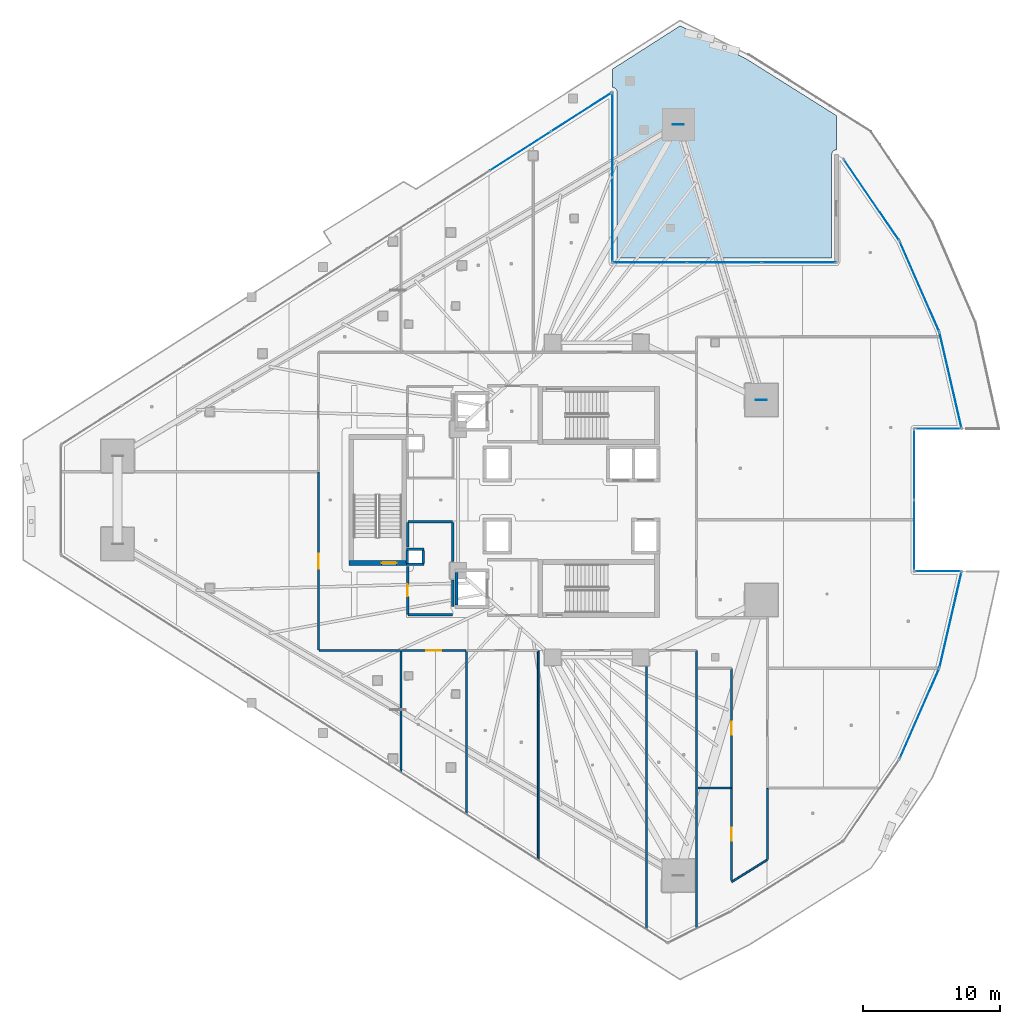
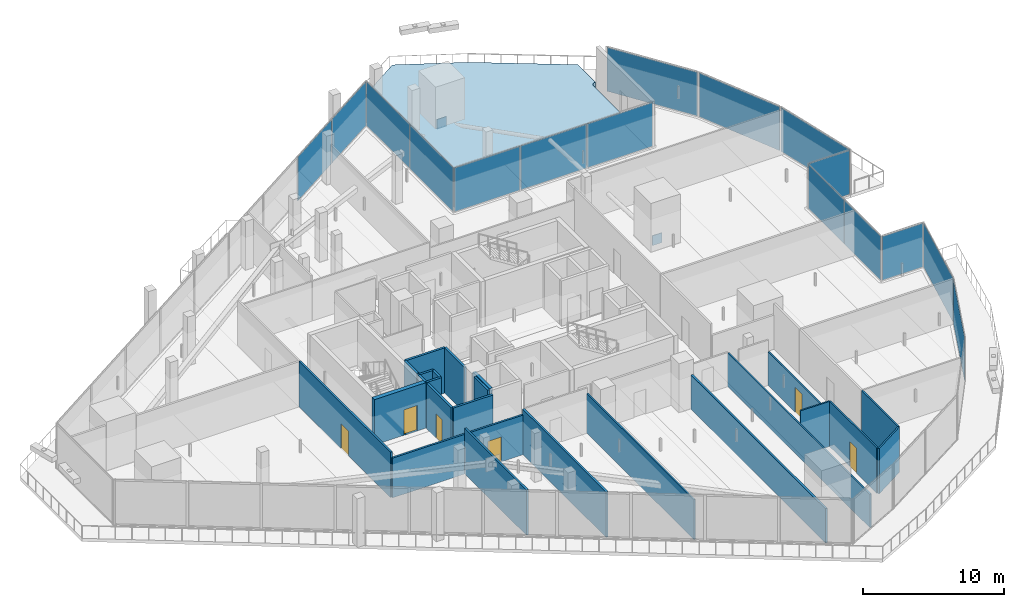
# One storey, part 31 of 47: 25 walls, 18 plates, 6 doors, 1 slab, 6 openings, 11 elements without a shape of their own.
"""IFC4 building model written with IfcOpenShell, lengths in metres."""

from ifc_helpers import new_model, si_unit, direction, frame, frame_2d, origin, origin_2d, place, context, subcontext, project, spatial, polyline, rectangle, outline, extrude, material, layer, layer_set, type_object, element, fill, aggregate, save


model = new_model("IFC4")

# Units and contexts
model_context = context("Model", 3, precision=1e-05, world=origin(), true_north=direction((0.0, 1.0)))
body_context = subcontext(model_context, "Body", "Model", "MODEL_VIEW")
ifc_project = project(units=[si_unit("LENGTHUNIT", "METRE"), si_unit("AREAUNIT", "SQUARE_METRE"), si_unit("VOLUMEUNIT", "CUBIC_METRE"), si_unit("PLANEANGLEUNIT", "RADIAN"), si_unit("MASSUNIT", "GRAM", prefix="KILO")], contexts=[model_context])

# Site, building, storey
site_placement = place(None, origin())
site = spatial("IfcSite", under=ifc_project, at=site_placement, CompositionType="ELEMENT")
building_placement = place(site_placement, origin())
building = spatial("IfcBuilding", under=site, at=building_placement, Name="Qorvath Tower", CompositionType="ELEMENT")
storey_placement = place(building_placement, frame((0.0, 0.0, 74.39990234375)))
storey = spatial("IfcBuildingStorey", under=building, at=storey_placement, Name="L16", CompositionType="ELEMENT", Elevation=74.39990234375)

# Curtain wall, plates
ifc_material_1 = material(Name="Anodised aluminium and triple low-E glass", Category="aluminium")
ifc_layer_1 = layer(ifc_material_1, 0.179931640625)
ifc_layer_set_1 = layer_set([ifc_layer_1], Name="CW-SYS-5")
curtain_wall_type = type_object("IfcCurtainWallType", Name="CW-SYS-5", PredefinedType="NOTDEFINED", material=ifc_layer_set_1)
curtain_wall_1_placement = place(storey_placement, origin())
curtain_wall_1 = element("IfcCurtainWall", 1, at=curtain_wall_1_placement, inside=storey, type_object=curtain_wall_type, Name="Curtain Wall CW-5 CW-T-L16-2.1", PredefinedType="NOTDEFINED")
ifc_material_2 = material(Name="Low-E triple insulated glass", Category="glass")
ifc_layer_2 = layer(ifc_material_2, 0.031982421875)
ifc_layer_set_2 = layer_set([ifc_layer_2], Name="CWP-GLZ-32")
plate_type_1 = type_object("IfcPlateType", Name="CWP-GLZ-32", PredefinedType="CURTAIN_PANEL", material=ifc_layer_set_2)
plate_1_placement = place(storey_placement, frame((-5.69873046875, 17.280029296875, 0.06494140625), z_axis=(0.0, 0.0, 1.0), x_axis=(-1.0, 0.0, 0.0)))
plate_1 = element("IfcPlate", 2, at=plate_1_placement, type_object=plate_type_1, Name="CW-5 panel 1.1", PredefinedType="CURTAIN_PANEL", context=body_context, shape_type="SweptSolid", body=[
    extrude(rectangle(XDim=5.327392578125, YDim=0.031982421875, at=origin_2d()), origin(), (0.0, 0.0, 1.0), 3.790283203125),
])
plate_2_placement = place(storey_placement, frame((-11.1201171875, 17.280029296875, 0.06494140625), z_axis=(0.0, 0.0, 1.0), x_axis=(-1.0, 0.0, 0.0)))
plate_2 = element("IfcPlate", 3, at=plate_2_placement, type_object=plate_type_1, Name="CW-5 panel 2.1", PredefinedType="CURTAIN_PANEL", context=body_context, shape_type="SweptSolid", body=[
    extrude(rectangle(XDim=5.364990234375, YDim=0.031982421875, at=origin_2d()), origin(), (0.0, 0.0, 1.0), 3.790283203125),
])
plate_3_placement = place(storey_placement, frame((-16.541259765625, 17.280029296875, 0.06494140625), z_axis=(0.0, 0.0, 1.0), x_axis=(-1.0, 0.0, 0.0)))
plate_3 = element("IfcPlate", 4, at=plate_3_placement, type_object=plate_type_1, Name="CW-5 panel 3.1", PredefinedType="CURTAIN_PANEL", context=body_context, shape_type="SweptSolid", body=[
    extrude(rectangle(XDim=5.327392578125, YDim=0.031982421875, at=origin_2d()), origin(), (0.0, 0.0, 1.0), 3.790283203125),
])
aggregate(curtain_wall_1, [plate_1, plate_2, plate_3])

curtain_wall_2_placement = place(storey_placement, origin())
curtain_wall_2 = element("IfcCurtainWall", 5, at=curtain_wall_2_placement, inside=storey, type_object=curtain_wall_type, Name="Curtain Wall CW-5 CW-T-L16-3.1", PredefinedType="NOTDEFINED")
plate_4_placement = place(storey_placement, frame((-19.280029296875, 20.396240234375, 0.06494140625), z_axis=(0.0, 0.0, 1.0), x_axis=(0.0, 1.0, 0.0)))
plate_4 = element("IfcPlate", 6, at=plate_4_placement, type_object=plate_type_1, Name="CW-5 panel 1.1", PredefinedType="CURTAIN_PANEL", context=body_context, shape_type="SweptSolid", body=[
    extrude(rectangle(XDim=6.082275390625, YDim=0.031982421875, at=origin_2d()), origin(), (0.0, 0.0, 1.0), 3.790283203125),
])
plate_5_placement = place(storey_placement, frame((-19.280029296875, 26.553466796875, 0.06494140625), z_axis=(0.0, 0.0, 1.0), x_axis=(0.0, 1.0, 0.0)))
plate_5 = element("IfcPlate", 7, at=plate_5_placement, type_object=plate_type_1, Name="CW-5 panel 2.1", PredefinedType="CURTAIN_PANEL", context=body_context, shape_type="SweptSolid", body=[
    extrude(rectangle(XDim=6.082275390625, YDim=0.031982421875, at=origin_2d()), origin(), (0.0, 0.0, 1.0), 3.790283203125),
])
aggregate(curtain_wall_2, [plate_4, plate_5])

curtain_wall_3_placement = place(storey_placement, origin())
curtain_wall_3 = element("IfcCurtainWall", 8, at=curtain_wall_3_placement, inside=storey, type_object=curtain_wall_type, Name="Curtain Wall CW-5 CW-T-L16-4.1", PredefinedType="NOTDEFINED")
plate_6_placement = place(storey_placement, frame((-21.5244140625, 28.235107421875, 0.06494140625), z_axis=(0.0, 0.0, 1.0), x_axis=(-0.842604180763, -0.538533373675, 0.0)))
plate_6 = element("IfcPlate", 9, at=plate_6_placement, type_object=plate_type_1, Name="CW-5 panel 1.1", PredefinedType="CURTAIN_PANEL", context=body_context, shape_type="SweptSolid", body=[
    extrude(rectangle(XDim=5.177490234375, YDim=0.031982421875, at=origin_2d()), origin(), (0.0, 0.0, 1.0), 3.790283203125),
])
plate_7_placement = place(storey_placement, frame((-25.966064453125, 25.396484375, 0.06494140625), z_axis=(0.0, 0.0, 1.0), x_axis=(-0.842604180763, -0.538533373675, 0.0)))
plate_7 = element("IfcPlate", 10, at=plate_7_placement, type_object=plate_type_1, Name="CW-5 panel 2.1", PredefinedType="CURTAIN_PANEL", context=body_context, shape_type="SweptSolid", body=[
    extrude(rectangle(XDim=5.21484375, YDim=0.031982421875, at=origin_2d()), origin(), (0.0, 0.0, 1.0), 3.790283203125),
])
aggregate(curtain_wall_3, [plate_6, plate_7])

# Curtain wall, plate
curtain_wall_4_placement = place(storey_placement, origin())
curtain_wall_4 = element("IfcCurtainWall", 11, at=curtain_wall_4_placement, inside=storey, type_object=curtain_wall_type, Name="Curtain Wall CW-5 CW-T-L16-10.1", PredefinedType="NOTDEFINED")
plate_8_placement = place(storey_placement, frame((3.07421875, -15.54296875, 0.06494140625), z_axis=(0.0, 0.0, 1.0), x_axis=(0.401375837231, 0.915913444211, 0.0)))
plate_8 = element("IfcPlate", 12, at=plate_8_placement, type_object=plate_type_1, Name="CW-5 panel 1.1", PredefinedType="CURTAIN_PANEL", context=body_context, shape_type="SweptSolid", body=[
    extrude(rectangle(XDim=7.08203125, YDim=0.031982421875, at=origin_2d()), origin(), (0.0, 0.0, 1.0), 3.790283203125),
])
aggregate(curtain_wall_4, [plate_8])

curtain_wall_5_placement = place(storey_placement, origin())
curtain_wall_5 = element("IfcCurtainWall", 13, at=curtain_wall_5_placement, inside=storey, type_object=curtain_wall_type, Name="Curtain Wall CW-5 CW-T-L16-11.1", PredefinedType="NOTDEFINED")
plate_9_placement = place(storey_placement, frame((5.3388671875, -8.70751953125, 0.06494140625), z_axis=(0.0, 0.0, 1.0), x_axis=(0.224871624887, 0.97438839911, 0.0)))
plate_9 = element("IfcPlate", 14, at=plate_9_placement, type_object=plate_type_1, Name="CW-5 panel 1.1", PredefinedType="CURTAIN_PANEL", context=body_context, shape_type="SweptSolid", body=[
    extrude(rectangle(XDim=7.08203125, YDim=0.031982421875, at=origin_2d()), origin(), (0.0, 0.0, 1.0), 3.790283203125),
])
aggregate(curtain_wall_5, [plate_9])

curtain_wall_6_placement = place(storey_placement, origin())
curtain_wall_6 = element("IfcCurtainWall", 15, at=curtain_wall_6_placement, inside=storey, type_object=curtain_wall_type, Name="Curtain Wall CW-5 CW-T-L16-12.1", PredefinedType="NOTDEFINED")
plate_10_placement = place(storey_placement, frame((4.423828125, -5.18408203125, 0.06494140625), z_axis=(0.0, 0.0, 1.0), x_axis=(-1.0, 0.0, 0.0)))
plate_10 = element("IfcPlate", 16, at=plate_10_placement, type_object=plate_type_1, Name="CW-5 panel 1.1", PredefinedType="CURTAIN_PANEL", context=body_context, shape_type="SweptSolid", body=[
    extrude(rectangle(XDim=3.30615234375, YDim=0.031982421875, at=origin_2d()), origin(), (0.0, 0.0, 1.0), 3.790283203125),
])
aggregate(curtain_wall_6, [plate_10])

# Curtain wall, plates
curtain_wall_7_placement = place(storey_placement, origin())
curtain_wall_7 = element("IfcCurtainWall", 17, at=curtain_wall_7_placement, inside=storey, type_object=curtain_wall_type, Name="Curtain Wall CW-5 CW-T-L16-13.1", PredefinedType="NOTDEFINED")
plate_11_placement = place(storey_placement, frame((2.69580078125, -2.5732421875, 0.06494140625), z_axis=(0.0, 0.0, 1.0), x_axis=(0.0, 1.0, 0.0)))
plate_11 = element("IfcPlate", 18, at=plate_11_placement, type_object=plate_type_1, Name="CW-5 panel 1.1", PredefinedType="CURTAIN_PANEL", context=body_context, shape_type="SweptSolid", body=[
    extrude(rectangle(XDim=5.071533203125, YDim=0.031982421875, at=origin_2d()), origin(), (0.0, 0.0, 1.0), 3.790283203125),
])
plate_12_placement = place(storey_placement, frame((2.69580078125, 2.5732421875, 0.06494140625), z_axis=(0.0, 0.0, 1.0), x_axis=(0.0, 1.0, 0.0)))
plate_12 = element("IfcPlate", 19, at=plate_12_placement, type_object=plate_type_1, Name="CW-5 panel 2.1", PredefinedType="CURTAIN_PANEL", context=body_context, shape_type="SweptSolid", body=[
    extrude(rectangle(XDim=5.071533203125, YDim=0.031982421875, at=origin_2d()), origin(), (0.0, 0.0, 1.0), 3.790283203125),
])
aggregate(curtain_wall_7, [plate_11, plate_12])

# Curtain wall, plate
curtain_wall_8_placement = place(storey_placement, origin())
curtain_wall_8 = element("IfcCurtainWall", 20, at=curtain_wall_8_placement, inside=storey, type_object=curtain_wall_type, Name="Curtain Wall CW-5 CW-T-L16-14.1", PredefinedType="NOTDEFINED")
plate_13_placement = place(storey_placement, frame((4.423828125, 5.18408203125, 0.06494140625), z_axis=(0.0, 0.0, 1.0), x_axis=(1.0, 0.0, 0.0)))
plate_13 = element("IfcPlate", 21, at=plate_13_placement, type_object=plate_type_1, Name="CW-5 panel 1.1", PredefinedType="CURTAIN_PANEL", context=body_context, shape_type="SweptSolid", body=[
    extrude(rectangle(XDim=3.30615234375, YDim=0.031982421875, at=origin_2d()), origin(), (0.0, 0.0, 1.0), 3.790283203125),
])
aggregate(curtain_wall_8, [plate_13])

curtain_wall_9_placement = place(storey_placement, origin())
curtain_wall_9 = element("IfcCurtainWall", 22, at=curtain_wall_9_placement, inside=storey, type_object=curtain_wall_type, Name="Curtain Wall CW-5 CW-T-L16-15.1", PredefinedType="NOTDEFINED")
plate_14_placement = place(storey_placement, frame((5.3388671875, 8.70751953125, 0.06494140625), z_axis=(0.0, 0.0, 1.0), x_axis=(-0.224871624887, 0.97438839911, 0.0)))
plate_14 = element("IfcPlate", 23, at=plate_14_placement, type_object=plate_type_1, Name="CW-5 panel 1.1", PredefinedType="CURTAIN_PANEL", context=body_context, shape_type="SweptSolid", body=[
    extrude(rectangle(XDim=7.08203125, YDim=0.031982421875, at=origin_2d()), origin(), (0.0, 0.0, 1.0), 3.790283203125),
])
aggregate(curtain_wall_9, [plate_14])

curtain_wall_10_placement = place(storey_placement, origin())
curtain_wall_10 = element("IfcCurtainWall", 24, at=curtain_wall_10_placement, inside=storey, type_object=curtain_wall_type, Name="Curtain Wall CW-5 CW-T-L16-16.1", PredefinedType="NOTDEFINED")
plate_15_placement = place(storey_placement, frame((3.07421875, 15.54296875, 0.06494140625), z_axis=(0.0, 0.0, 1.0), x_axis=(-0.401375837231, 0.915913444211, 0.0)))
plate_15 = element("IfcPlate", 25, at=plate_15_placement, type_object=plate_type_1, Name="CW-5 panel 1.1", PredefinedType="CURTAIN_PANEL", context=body_context, shape_type="SweptSolid", body=[
    extrude(rectangle(XDim=7.08203125, YDim=0.031982421875, at=origin_2d()), origin(), (0.0, 0.0, 1.0), 3.790283203125),
])
aggregate(curtain_wall_10, [plate_15])

curtain_wall_11_placement = place(storey_placement, origin())
curtain_wall_11 = element("IfcCurtainWall", 26, at=curtain_wall_11_placement, inside=storey, type_object=curtain_wall_type, Name="Curtain Wall CW-5 CW-T-L16-17.1", PredefinedType="NOTDEFINED")
plate_16_placement = place(storey_placement, frame((-0.416748046875, 21.84130859375, 0.06494140625), z_axis=(0.0, 0.0, 1.0), x_axis=(-0.563998211602, 0.825776009163, 0.0)))
plate_16 = element("IfcPlate", 27, at=plate_16_placement, type_object=plate_type_1, Name="CW-5 panel 1.1", PredefinedType="CURTAIN_PANEL", context=body_context, shape_type="SweptSolid", body=[
    extrude(rectangle(XDim=7.08251953125, YDim=0.031982421875, at=origin_2d()), origin(), (0.0, 0.0, 1.0), 3.790283203125),
])
aggregate(curtain_wall_11, [plate_16])

# Plates
ifc_material_3 = material(Name="Steel ASTM A572 Grade 50", Category="steel")
ifc_layer_3 = layer(ifc_material_3, 0.054931640625)
ifc_layer_set_3 = layer_set([ifc_layer_3], Name="PL-MBN1")
plate_type_2 = type_object("IfcPlateType", Name="PL-MBN1", PredefinedType="USERDEFINED", material=ifc_layer_set_3)
for number, where, z_axis, x_axis, name in (
    (28, (-14.46435546875, 27.330810546875, -0.425048828125), (0.0, 0.0, 1.0), (1.0, 0.0, 0.0), "Brace Strut End Gusset Plate NDBG-085"),
    (29, (-8.430419921875, 7.2763671875, -0.425048828125), (0.0, 0.0, 1.0), (1.0, 0.0, 0.0), "Brace Strut End Gusset Plate NDBG-129"),
):
    element("IfcPlate", number, at=place(storey_placement, frame(where, z_axis=z_axis, x_axis=x_axis)), inside=storey, type_object=plate_type_2, Name=name, ObjectType="GUSSET", PredefinedType="USERDEFINED", context=body_context, shape_type="SweptSolid", body=[
        extrude(rectangle(XDim=0.800048828125, YDim=0.054931640625, at=origin_2d()), origin(), (0.0, 0.0, 1.0), 0.85009765625),
    ])

# Slab
ifc_material_4 = material(Name="Precast concrete C45/55", Category="concrete")
ifc_layer_4 = layer(ifc_material_4, 0.60009765625)
ifc_layer_set_4 = layer_set([ifc_layer_4], Name="SL-PLN-600")
slab_type = type_object("IfcSlabType", Name="SL-PLN-600", PredefinedType="USERDEFINED", material=ifc_layer_set_4)
slab_placement = place(storey_placement, origin())
element("IfcSlab", 30, at=slab_placement, inside=storey, type_object=slab_type, Name="Sky Garden Planted Bed PLANTER L16", ObjectType="PLANTER", PredefinedType="USERDEFINED", context=body_context, shape_type="SweptSolid", body=[
    extrude(outline(polyline([(-2.9599609375, 27.970458984375), (-9.546875, 32.11328125), (-14.34130859375, 34.510498046875), (-19.280029296875, 31.35400390625), (-19.280029296875, 30.01953125), (-19.240966796875, 30.017578125), (-19.207275390625, 30.011962890625), (-19.142578125, 29.991455078125), (-19.082763671875, 29.958984375), (-19.03076171875, 29.915283203125), (-18.98779296875, 29.862548828125), (-18.9560546875, 29.802490234375), (-18.9365234375, 29.7373046875), (-18.929931640625, 29.669677734375), (-18.929931640625, 17.6298828125), (-3.31005859375, 17.6298828125), (-3.31005859375, 25.141845703125), (-3.303466796875, 25.209228515625), (-3.2841796875, 25.27392578125), (-3.252685546875, 25.333984375), (-3.210205078125, 25.386474609375), (-3.158447265625, 25.43017578125), (-3.099365234375, 25.462890625), (-3.034912109375, 25.483642578125), (-3.001708984375, 25.489501953125), (-2.9599609375, 25.49169921875), (-2.9599609375, 27.970458984375)])), origin(), (0.0, 0.0, 1.0), 0.60009765625),
])

# Walls
ifc_material_5 = material(Name="Gypsum shaftliner on steel studs", Category="steel")
ifc_layer_5 = layer(ifc_material_5, 0.179931640625)
ifc_layer_set_5 = layer_set([ifc_layer_5], Name="FW-LOBBY")
wall_type_1 = type_object("IfcWallType", Name="FW-LOBBY", PredefinedType="PARTITIONING", material=ifc_layer_set_5)
for number, where, z_axis, x_axis, name in (
    (31, (-32.989990234375, -4.675048828125, 0.0), (0.0, 0.0, 1.0), (-1.0, 0.0, 0.0), "MEP Riser Shaft Enclosure Wall S-L16-S"),
    (32, (-34.260009765625, -3.594970703125, 0.0), (0.0, 0.0, 1.0), (1.0, 0.0, 0.0), "MEP Riser Shaft Enclosure Wall S-L16-N"),
):
    element("IfcWall", number, at=place(storey_placement, frame(where, z_axis=z_axis, x_axis=x_axis)), inside=storey, type_object=wall_type_1, Name=name, PredefinedType="PARTITIONING", context=body_context, shape_type="SweptSolid", body=[
        extrude(rectangle(XDim=1.27001953125, YDim=0.179931640625, at=frame_2d((0.635009765625, 0.0))), origin(), (0.0, 0.0, 1.0), 3.920166015625),
    ])
for number, where, z_axis, x_axis, name in (
    (33, (-34.205078125, -4.610107421875, 0.0), (0.0, 0.0, 1.0), (0.0, 1.0, 0.0), "MEP Riser Shaft Enclosure Wall S-L16-W"),
    (34, (-33.044921875, -3.659912109375, 0.0), (0.0, 0.0, 1.0), (0.0, -1.0, 0.0), "MEP Riser Shaft Enclosure Wall S-L16-E"),
):
    element("IfcWall", number, at=place(storey_placement, frame(where, z_axis=z_axis, x_axis=x_axis)), inside=storey, type_object=wall_type_1, Name=name, PredefinedType="PARTITIONING", context=body_context, shape_type="SweptSolid", body=[
        extrude(rectangle(XDim=0.9501953125, YDim=0.179931640625, at=frame_2d((0.47509765625, 0.0))), origin(), (0.0, 0.0, 1.0), 3.920166015625),
    ])
wall_1_placement = place(storey_placement, frame((-34.15478515625, -8.35009765625, 0.0), z_axis=(0.0, 0.0, 1.0), x_axis=(1.0, 0.0, 0.0)))
element("IfcWall", 35, at=wall_1_placement, inside=storey, type_object=wall_type_1, Name="Interior Partition IW-T1-L16-011", PredefinedType="PARTITIONING", context=body_context, shape_type="SweptSolid", body=[
    extrude(rectangle(XDim=3.25, YDim=0.179931640625, at=frame_2d((1.625, 0.0))), origin(), (0.0, 0.0, 1.0), 3.920166015625),
])
wall_2_placement = place(storey_placement, frame((-30.8798828125, -7.742919921875, 0.0), z_axis=(0.0, 0.0, 1.0), x_axis=(0.0, 1.0, 0.0)))
element("IfcWall", 36, at=wall_2_placement, inside=storey, type_object=wall_type_1, Name="Interior Partition IW-T1-L16-012", PredefinedType="PARTITIONING", context=body_context, shape_type="SweptSolid", body=[
    extrude(rectangle(XDim=1.927978515625, YDim=0.179931640625, at=frame_2d((0.9638671875, 0.0))), origin(), (0.0, 0.0, 1.0), 3.920166015625),
])
wall_3_placement = place(storey_placement, frame((-30.8798828125, -4.485107421875, 0.0), z_axis=(0.0, 0.0, 1.0), x_axis=(0.0, 1.0, 0.0)))
element("IfcWall", 37, at=wall_3_placement, inside=storey, type_object=wall_type_1, Name="Interior Partition IW-T1-L16-013", PredefinedType="PARTITIONING", context=body_context, shape_type="SweptSolid", body=[
    extrude(rectangle(XDim=2.860107421875, YDim=0.179931640625, at=frame_2d((1.43017578125, 0.0))), origin(), (0.0, 0.0, 1.0), 3.920166015625),
])
wall_4_placement = place(storey_placement, frame((-30.90478515625, -1.60009765625, 0.0), z_axis=(0.0, 0.0, 1.0), x_axis=(-1.0, 0.0, 0.0)))
element("IfcWall", 38, at=wall_4_placement, inside=storey, type_object=wall_type_1, Name="Interior Partition IW-T1-L16-014", PredefinedType="PARTITIONING", context=body_context, shape_type="SweptSolid", body=[
    extrude(rectangle(XDim=3.25, YDim=0.179931640625, at=frame_2d((1.625, 0.0))), origin(), (0.0, 0.0, 1.0), 3.920166015625),
])
wall_5_placement = place(storey_placement, frame((-34.179931640625, -1.625, 0.0), z_axis=(0.0, 0.0, 1.0), x_axis=(0.0, -1.0, 0.0)))
element("IfcWall", 39, at=wall_5_placement, inside=storey, type_object=wall_type_1, Name="Interior Partition IW-T1-L16-015", PredefinedType="PARTITIONING", context=body_context, shape_type="SweptSolid", body=[
    extrude(rectangle(XDim=1.804931640625, YDim=0.179931640625, at=frame_2d((0.90234375, 0.0))), origin(), (0.0, 0.0, 1.0), 3.920166015625),
])

# Wall, opening, door
wall_6_placement = place(storey_placement, frame((-34.179931640625, -4.840087890625, 0.0), z_axis=(0.0, 0.0, 1.0), x_axis=(0.0, -1.0, 0.0)))
wall_6 = element("IfcWall", 40, at=wall_6_placement, inside=storey, type_object=wall_type_1, Name="Interior Partition IW-T1-L16-016", PredefinedType="PARTITIONING", context=body_context, shape_type="SweptSolid", body=[
    extrude(rectangle(XDim=3.485107421875, YDim=0.179931640625, at=frame_2d((1.74267578125, 0.0))), origin(), (0.0, 0.0, 1.0), 3.920166015625),
])
opening_1_placement = place(wall_6_placement, frame((1.302490234375, 0.0, 0.0)))
opening_1 = element("IfcOpeningElement", 41, at=opening_1_placement, cuts=wall_6, Name="Opening D-T1-L16-02", PredefinedType="OPENING", context=body_context, shape_type="SweptSolid", body=[
    extrude(rectangle(XDim=0.8798828125, YDim=2.10009765625, at=frame_2d((0.43994140625, 1.050048828125))), frame((0.0, 0.10009765625, 0.0), z_axis=(0.0, -1.0, 0.0), x_axis=(1.0, 0.0, 0.0)), (0.0, 0.0, 1.0), 0.199951171875),
])
ifc_material_6 = material(Name="Painted galvanised hollow metal", Category="steel")
door_type_1 = type_object("IfcDoorType", Name="FD-60N", OperationType="NOTDEFINED", PredefinedType="DOOR", material=ifc_material_6)
door_1_placement = place(opening_1_placement, origin())
door_1 = element("IfcDoor", 42, at=door_1_placement, inside=storey, type_object=door_type_1, Name="Core electrical and cleaner room L16 Door D-T1-L16-02", OperationType="SINGLE_SWING_LEFT", OverallHeight=2.10009765625, OverallWidth=0.8798828125, PredefinedType="DOOR", context=body_context, shape_type="SweptSolid", body=[
    extrude(rectangle(XDim=0.8798828125, YDim=2.10009765625, at=frame_2d((0.43994140625, 1.050048828125))), frame((0.0, 0.02490234375, 0.0), z_axis=(0.0, -1.0, 0.0), x_axis=(1.0, 0.0, 0.0)), (0.0, 0.0, 1.0), 0.050048828125),
])
fill(opening_1, door_1)

ifc_material_7 = material(Name="Double acoustic gypsum board on steel studs", Category="steel")
ifc_layer_6 = layer(ifc_material_7, 0.159912109375)
ifc_layer_set_6 = layer_set([ifc_layer_6], Name="IW-ACOUSTIC-160")
wall_type_2 = type_object("IfcWallType", Name="IW-ACOUSTIC-160", PredefinedType="PARTITIONING", material=ifc_layer_set_6)
wall_7_placement = place(storey_placement, frame((-29.92138671875, -10.9580078125, 0.0), z_axis=(0.0, 0.0, 1.0), x_axis=(-1.0, 0.0, 0.0)))
wall_7 = element("IfcWall", 43, at=wall_7_placement, inside=storey, type_object=wall_type_2, Name="Interior Partition IW-T1-L16-023", PredefinedType="PARTITIONING", context=body_context, shape_type="SweptSolid", body=[
    extrude(rectangle(XDim=4.70361328125, YDim=0.159912109375, at=frame_2d((2.351806640625, 0.0))), origin(), (0.0, 0.0, 1.0), 3.43310546875),
])
opening_2_placement = place(wall_7_placement, frame((1.8017578125, 0.0, 0.0)))
opening_2 = element("IfcOpeningElement", 44, at=opening_2_placement, cuts=wall_7, Name="Opening D-T1-L16-05", PredefinedType="OPENING", context=body_context, shape_type="SweptSolid", body=[
    extrude(rectangle(XDim=1.10009765625, YDim=2.14990234375, at=frame_2d((0.550048828125, 1.074951171875))), frame((0.0, 0.08984375, 0.0), z_axis=(0.0, -1.0, 0.0), x_axis=(1.0, 0.0, 0.0)), (0.0, 0.0, 1.0), 0.179931640625),
])
ifc_material_8 = material(Name="Anodised aluminium acoustic framed glass", Category="aluminium")
door_type_2 = type_object("IfcDoorType", Name="D-03", OperationType="NOTDEFINED", PredefinedType="DOOR", material=ifc_material_8)
door_2_placement = place(opening_2_placement, origin())
door_2 = element("IfcDoor", 45, at=door_2_placement, inside=storey, type_object=door_type_2, Name="L16-03 Client Services Office Door D-T1-L16-05", OperationType="SINGLE_SWING_RIGHT", OverallHeight=2.14990234375, OverallWidth=1.10009765625, PredefinedType="DOOR", context=body_context, shape_type="SweptSolid", body=[
    extrude(rectangle(XDim=1.10009765625, YDim=2.14990234375, at=frame_2d((0.550048828125, 1.074951171875))), frame((0.0, 0.02490234375, 0.0), z_axis=(0.0, -1.0, 0.0), x_axis=(1.0, 0.0, 0.0)), (0.0, 0.0, 1.0), 0.050048828125),
])
fill(opening_2, door_2)

# Walls
wall_8_placement = place(storey_placement, frame((-34.64990234375, -10.98291015625, 0.0), z_axis=(0.0, 0.0, 1.0), x_axis=(0.0, -1.0, 0.0)))
element("IfcWall", 46, at=wall_8_placement, inside=storey, type_object=wall_type_2, Name="Interior Partition IW-T1-L16-024", PredefinedType="PARTITIONING", context=body_context, shape_type="SweptSolid", body=[
    extrude(rectangle(XDim=8.783447265625, YDim=0.159912109375, at=frame_2d((4.3916015625, 0.0))), origin(), (0.0, 0.0, 1.0), 3.920166015625),
])
wall_9_placement = place(storey_placement, frame((-29.896484375, -22.804443359375, 0.0), z_axis=(0.0, 0.0, 1.0), x_axis=(0.0, 1.0, 0.0)))
element("IfcWall", 47, at=wall_9_placement, inside=storey, type_object=wall_type_2, Name="Interior Partition IW-T1-L16-025", PredefinedType="PARTITIONING", context=body_context, shape_type="SweptSolid", body=[
    extrude(rectangle(XDim=11.821533203125, YDim=0.159912109375, at=frame_2d((5.91064453125, 0.0))), origin(), (0.0, 0.0, 1.0), 3.920166015625),
])
wall_10_placement = place(storey_placement, frame((-16.800537109375, -31.17431640625, 0.0), z_axis=(0.0, 0.0, 1.0), x_axis=(0.001037569734, 0.999999461724, 0.0)))
element("IfcWall", 48, at=wall_10_placement, inside=storey, type_object=wall_type_2, Name="Interior Partition IW-T1-L16-029", PredefinedType="PARTITIONING", context=body_context, shape_type="SweptSolid", body=[
    extrude(rectangle(XDim=19.059326171875, YDim=0.159912109375, at=frame_2d((9.52978515625, 0.0))), origin(), (0.0, 0.0, 1.0), 2.95703125),
])
wall_11_placement = place(storey_placement, frame((-40.633056640625, -10.9580078125, 0.0), z_axis=(0.0, 0.0, 1.0), x_axis=(1.0, 0.0, 0.0)))
element("IfcWall", 49, at=wall_11_placement, inside=storey, type_object=wall_type_2, Name="Interior Partition IW-T1-L16-046", PredefinedType="PARTITIONING", context=body_context, shape_type="SweptSolid", body=[
    extrude(rectangle(XDim=5.949951171875, YDim=0.159912109375, at=frame_2d((2.97509765625, 0.0))), origin(), (0.0, 0.0, 1.0), 3.43310546875),
])

# Wall, opening, door
wall_12_placement = place(storey_placement, frame((-40.657958984375, -10.93310546875, 0.0), z_axis=(0.0, 0.0, 1.0), x_axis=(0.0, 1.0, 0.0)))
wall_12 = element("IfcWall", 50, at=wall_12_placement, inside=storey, type_object=wall_type_2, Name="Interior Partition IW-T1-L16-047", PredefinedType="PARTITIONING", context=body_context, shape_type="SweptSolid", body=[
    extrude(rectangle(XDim=12.97021484375, YDim=0.159912109375, at=frame_2d((6.485107421875, 0.0))), origin(), (0.0, 0.0, 1.0), 3.920166015625),
])
opening_3_placement = place(wall_12_placement, frame((5.93505859375, 0.0, 0.0)))
opening_3 = element("IfcOpeningElement", 51, at=opening_3_placement, cuts=wall_12, Name="Opening D-T1-L16-14", PredefinedType="OPENING", context=body_context, shape_type="SweptSolid", body=[
    extrude(rectangle(XDim=1.10009765625, YDim=2.14990234375, at=frame_2d((0.550048828125, 1.074951171875))), frame((0.0, 0.08984375, 0.0), z_axis=(0.0, -1.0, 0.0), x_axis=(1.0, 0.0, 0.0)), (0.0, 0.0, 1.0), 0.179931640625),
])
door_3_placement = place(opening_3_placement, origin())
door_3 = element("IfcDoor", 52, at=door_3_placement, inside=storey, type_object=door_type_2, Name="L16-12 Enclosed Conference Suite Door D-T1-L16-14", OperationType="SINGLE_SWING_LEFT", OverallHeight=2.14990234375, OverallWidth=1.10009765625, PredefinedType="DOOR", context=body_context, shape_type="SweptSolid", body=[
    extrude(rectangle(XDim=1.10009765625, YDim=2.14990234375, at=frame_2d((0.550048828125, 1.074951171875))), frame((0.0, 0.02490234375, 0.0), z_axis=(0.0, -1.0, 0.0), x_axis=(1.0, 0.0, 0.0)), (0.0, 0.0, 1.0), 0.050048828125),
])
fill(opening_3, door_3)

# Walls
ifc_material_9 = material(Name="Gypsum board on metal studs with mineral wool", Category="gypsum")
ifc_layer_7 = layer(ifc_material_9, 0.125)
ifc_layer_set_7 = layer_set([ifc_layer_7], Name="IW-PART-125")
wall_type_3 = type_object("IfcWallType", Name="IW-PART-125", PredefinedType="PARTITIONING", material=ifc_layer_set_7)
wall_13_placement = place(storey_placement, frame((-24.666748046875, -26.14697265625, 0.0), z_axis=(0.0, 0.0, 1.0), x_axis=(0.0, 1.0, 0.0)))
element("IfcWall", 53, at=wall_13_placement, inside=storey, type_object=wall_type_3, Name="Interior Partition IW-T1-L16-026", PredefinedType="PARTITIONING", context=body_context, shape_type="SweptSolid", body=[
    extrude(rectangle(XDim=15.1640625, YDim=0.125, at=frame_2d((7.58203125, 0.0))), origin(), (0.0, 0.0, 1.0), 3.43310546875),
])
wall_14_placement = place(storey_placement, frame((-13.14990234375, -31.113037109375, 0.0), z_axis=(0.0, 0.0, 1.0), x_axis=(0.0, 1.0, 0.0)))
element("IfcWall", 54, at=wall_14_placement, inside=storey, type_object=wall_type_3, Name="Interior Partition IW-T1-L16-030", PredefinedType="PARTITIONING", context=body_context, shape_type="SweptSolid", body=[
    extrude(rectangle(XDim=20.130126953125, YDim=0.125, at=frame_2d((10.06494140625, 0.0))), origin(), (0.0, 0.0, 1.0), 2.89013671875),
])
wall_15_placement = place(storey_placement, frame((-7.991943359375, -26.146484375, 0.0), z_axis=(0.0, 0.0, 1.0), x_axis=(0.0, 1.0, 0.0)))
element("IfcWall", 55, at=wall_15_placement, inside=storey, type_object=wall_type_3, Name="Interior Partition IW-T1-L16-033", PredefinedType="PARTITIONING", context=body_context, shape_type="SweptSolid", body=[
    extrude(rectangle(XDim=5.156005859375, YDim=0.125, at=frame_2d((2.578125, 0.0))), origin(), (0.0, 0.0, 1.0), 3.920166015625),
])
wall_16_placement = place(storey_placement, frame((-10.586669921875, -27.791748046875, 0.0), z_axis=(0.0, 0.0, 1.0), x_axis=(0.848183593327, 0.529702361718, 0.0)))
element("IfcWall", 56, at=wall_16_placement, inside=storey, type_object=wall_type_3, Name="Interior Partition IW-T1-L16-034", PredefinedType="PARTITIONING", context=body_context, shape_type="SweptSolid", body=[
    extrude(rectangle(XDim=3.0341796875, YDim=0.125, at=frame_2d((1.51708984375, 0.0))), origin(), (0.0, 0.0, 1.0), 3.920166015625),
])

# Wall, opening, door
wall_17_placement = place(storey_placement, frame((-10.60791015625, -20.990478515625, 0.0), z_axis=(0.0, 0.0, 1.0), x_axis=(0.0, -1.0, 0.0)))
wall_17 = element("IfcWall", 57, at=wall_17_placement, inside=storey, type_object=wall_type_3, Name="Interior Partition IW-T1-L16-035", PredefinedType="PARTITIONING", context=body_context, shape_type="SweptSolid", body=[
    extrude(rectangle(XDim=6.689208984375, YDim=0.125, at=frame_2d((3.3447265625, 0.0))), origin(), (0.0, 0.0, 1.0), 3.920166015625),
])
opening_4_placement = place(wall_17_placement, frame((2.86962890625, 0.0, 0.0)))
opening_4 = element("IfcOpeningElement", 58, at=opening_4_placement, cuts=wall_17, Name="Opening D-T1-L16-09", PredefinedType="OPENING", context=body_context, shape_type="SweptSolid", body=[
    extrude(rectangle(XDim=0.949951171875, YDim=2.14990234375, at=frame_2d((0.47509765625, 1.074951171875))), frame((0.0, 0.072509765625, 0.0), z_axis=(0.0, -1.0, 0.0), x_axis=(1.0, 0.0, 0.0)), (0.0, 0.0, 1.0), 0.14501953125),
])
ifc_material_10 = material(Name="Solid-core American white oak veneer", Category="wood")
door_type_3 = type_object("IfcDoorType", Name="D-01", OperationType="NOTDEFINED", PredefinedType="DOOR", material=ifc_material_10)
door_4_placement = place(opening_4_placement, origin())
door_4 = element("IfcDoor", 59, at=door_4_placement, inside=storey, type_object=door_type_3, Name="L16-07 Breakout Reading Alcove Door D-T1-L16-09", OperationType="SINGLE_SWING_RIGHT", OverallHeight=2.14990234375, OverallWidth=0.949951171875, PredefinedType="DOOR", context=body_context, shape_type="SweptSolid", body=[
    extrude(rectangle(XDim=0.949951171875, YDim=2.14990234375, at=frame_2d((0.47509765625, 1.074951171875))), frame((0.0, 0.02490234375, 0.0), z_axis=(0.0, -1.0, 0.0), x_axis=(1.0, 0.0, 0.0)), (0.0, 0.0, 1.0), 0.050048828125),
])
fill(opening_4, door_4)

# Wall
wall_18_placement = place(storey_placement, frame((-10.6328125, -20.965576171875, 0.0), z_axis=(0.0, 0.0, 1.0), x_axis=(-1.0, 0.0, 0.0)))
element("IfcWall", 60, at=wall_18_placement, inside=storey, type_object=wall_type_3, Name="Interior Partition IW-T1-L16-036", PredefinedType="PARTITIONING", context=body_context, shape_type="SweptSolid", body=[
    extrude(rectangle(XDim=2.406982421875, YDim=0.125, at=frame_2d((1.20361328125, 0.0))), origin(), (0.0, 0.0, 1.0), 3.920166015625),
])

# Wall, opening, door
wall_19_placement = place(storey_placement, frame((-10.60791015625, -20.932861328125, 0.0), z_axis=(0.0, 0.0, 1.0), x_axis=(0.0, 1.0, 0.0)))
wall_19 = element("IfcWall", 61, at=wall_19_placement, inside=storey, type_object=wall_type_3, Name="Interior Partition IW-T1-L16-039", PredefinedType="PARTITIONING", context=body_context, shape_type="SweptSolid", body=[
    extrude(rectangle(XDim=8.658447265625, YDim=0.125, at=frame_2d((4.3291015625, 0.0))), origin(), (0.0, 0.0, 1.0), 2.89013671875),
])
opening_5_placement = place(wall_19_placement, frame((3.854248046875, 0.0, 0.0)))
opening_5 = element("IfcOpeningElement", 62, at=opening_5_placement, cuts=wall_19, Name="Opening D-T1-L16-11", PredefinedType="OPENING", context=body_context, shape_type="SweptSolid", body=[
    extrude(rectangle(XDim=0.949951171875, YDim=2.14990234375, at=frame_2d((0.47509765625, 1.074951171875))), frame((0.0, 0.072509765625, 0.0), z_axis=(0.0, -1.0, 0.0), x_axis=(1.0, 0.0, 0.0)), (0.0, 0.0, 1.0), 0.14501953125),
])
door_5_placement = place(opening_5_placement, origin())
door_5 = element("IfcDoor", 63, at=door_5_placement, inside=storey, type_object=door_type_3, Name="L16-09 Quantitative Research Studio Door D-T1-L16-11", OperationType="SINGLE_SWING_RIGHT", OverallHeight=2.14990234375, OverallWidth=0.949951171875, PredefinedType="DOOR", context=body_context, shape_type="SweptSolid", body=[
    extrude(rectangle(XDim=0.949951171875, YDim=2.14990234375, at=frame_2d((0.47509765625, 1.074951171875))), frame((0.0, 0.02490234375, 0.0), z_axis=(0.0, -1.0, 0.0), x_axis=(1.0, 0.0, 0.0)), (0.0, 0.0, 1.0), 0.050048828125),
])
fill(opening_5, door_5)

# Wall
ifc_material_11 = material(Name="Concrete C60/75", Category="concrete")
ifc_layer_8 = layer(ifc_material_11, 0.260009765625)
ifc_layer_set_8 = layer_set([ifc_layer_8], Name="SW-SHAFT")
wall_type_4 = type_object("IfcWallType", Name="SW-SHAFT", PredefinedType="SHEAR", material=ifc_layer_set_8)
wall_20_placement = place(storey_placement, frame((-30.6201171875, -7.637939453125, 0.0), z_axis=(0.0, 0.0, 1.0), x_axis=(0.0, 1.0, 0.0)))
element("IfcWall", 64, at=wall_20_placement, inside=storey, type_object=wall_type_4, Name="Hoistway Wall FSAE-2 L16 W", PredefinedType="SHEAR", context=body_context, shape_type="SweptSolid", body=[
    extrude(rectangle(XDim=2.3759765625, YDim=0.239990234375, at=frame_2d((1.18798828125, 0.0))), origin(), (0.0, 0.0, 1.0), 3.920166015625),
])

# Wall, opening, door
ifc_material_12 = material(Name="Concrete C60/75", Category="concrete")
ifc_layer_9 = layer(ifc_material_12, 0.35009765625)
ifc_layer_set_9 = layer_set([ifc_layer_9], Name="SW-STAIR")
wall_type_5 = type_object("IfcWallType", Name="SW-STAIR", PredefinedType="SHEAR", material=ifc_layer_set_9)
wall_21_placement = place(storey_placement, frame((-38.4599609375, -4.574951171875, 0.0), z_axis=(0.0, 0.0, 1.0), x_axis=(1.0, 0.0, 0.0)))
wall_21 = element("IfcWall", 65, at=wall_21_placement, inside=storey, type_object=wall_type_5, Name="Stair TS3 Shear Wall L16 NEAR", PredefinedType="SHEAR", context=body_context, shape_type="SweptSolid", body=[
    extrude(rectangle(XDim=4.2099609375, YDim=0.35009765625, at=frame_2d((2.10498046875, 0.0))), origin(), (0.0, 0.0, 1.0), 3.920166015625),
])
opening_6_placement = place(wall_21_placement, frame((2.389892578125, 0.0, 0.0)))
opening_6 = element("IfcOpeningElement", 66, at=opening_6_placement, cuts=wall_21, Name="Opening D-TS3-L16", PredefinedType="OPENING", context=body_context, shape_type="SweptSolid", body=[
    extrude(rectangle(XDim=1.10009765625, YDim=2.199951171875, at=frame_2d((0.550048828125, 1.10009765625))), frame((0.0, 0.18505859375, 0.0), z_axis=(0.0, -1.0, 0.0), x_axis=(1.0, 0.0, 0.0)), (0.0, 0.0, 1.0), 0.3701171875),
])
ifc_material_13 = material(Name="Painted galvanised hollow metal", Category="steel")
door_type_4 = type_object("IfcDoorType", Name="FD-90", OperationType="NOTDEFINED", PredefinedType="DOOR", material=ifc_material_13)
door_6_placement = place(opening_6_placement, origin())
door_6 = element("IfcDoor", 67, at=door_6_placement, inside=storey, type_object=door_type_4, Name="Stair TS3 Fire Door L16", OperationType="SINGLE_SWING_LEFT", OverallHeight=2.199951171875, OverallWidth=1.10009765625, PredefinedType="DOOR", context=body_context, shape_type="SweptSolid", body=[
    extrude(rectangle(XDim=1.10009765625, YDim=2.199951171875, at=frame_2d((0.550048828125, 1.10009765625))), frame((0.0, 0.02490234375, 0.0), z_axis=(0.0, -1.0, 0.0), x_axis=(1.0, 0.0, 0.0)), (0.0, 0.0, 1.0), 0.050048828125),
])
fill(opening_6, door_6)

save(model, "model.ifc")
